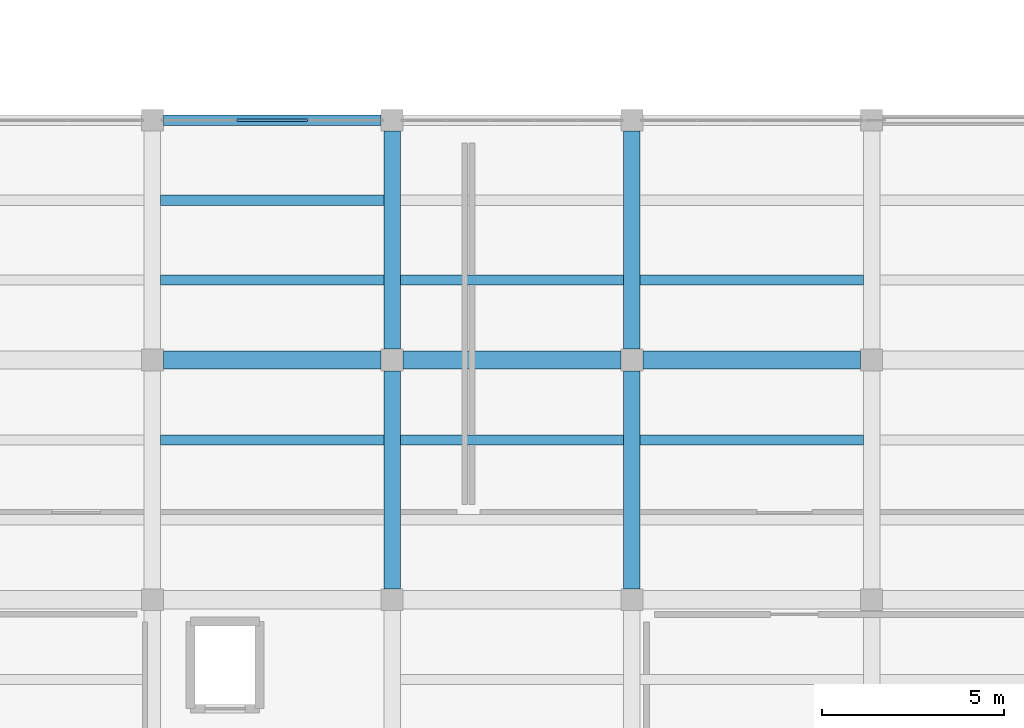
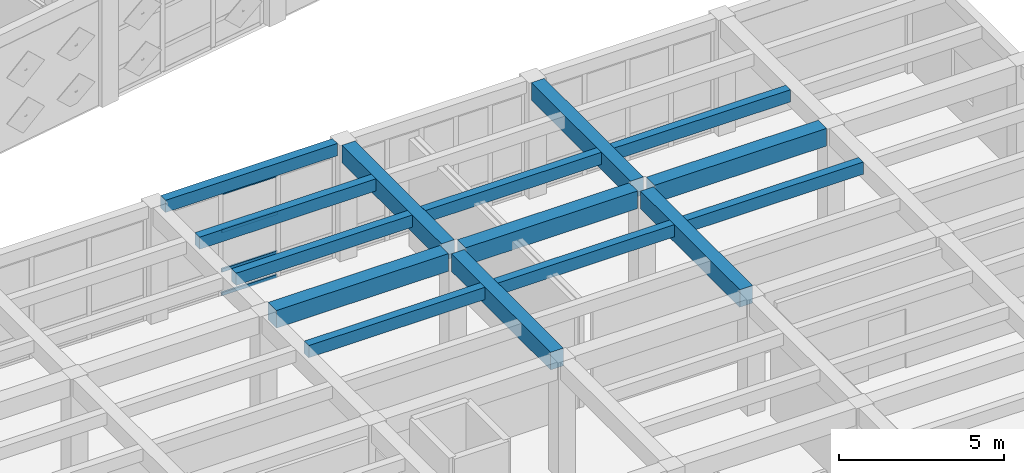
# One storey, part 7 of 67: 15 beams, 4 members, 1 element without a shape of its own.
"""IFC4 building model written with IfcOpenShell, lengths in metres."""

from ifc_helpers import new_model, si_unit, direction, frame, origin, origin_2d, place, context, subcontext, project, spatial, rectangle, hollow_rectangle, extrude, material, layer, layer_set, material_profile, profile_set, type_object, element, aggregate, save


model = new_model("IFC4")

# Units and contexts
model_context = context("Model", 3, precision=1e-05, world=origin(), true_north=direction((0.0, 1.0)))
body_context = subcontext(model_context, "Body", "Model", "MODEL_VIEW")
ifc_project = project(units=[si_unit("LENGTHUNIT", "METRE"), si_unit("AREAUNIT", "SQUARE_METRE"), si_unit("VOLUMEUNIT", "CUBIC_METRE"), si_unit("PLANEANGLEUNIT", "RADIAN"), si_unit("MASSUNIT", "GRAM", prefix="KILO")], contexts=[model_context])

# Site, building, storey
site_placement = place(None, origin())
site = spatial("IfcSite", under=ifc_project, at=site_placement, CompositionType="ELEMENT")
building_placement = place(site_placement, origin())
building = spatial("IfcBuilding", under=site, at=building_placement, Name="Kharisveld Research Institute", CompositionType="ELEMENT")
storey_placement = place(building_placement, frame((0.0, 0.0, 9.60009765625)))
storey = spatial("IfcBuildingStorey", under=building, at=storey_placement, Name="L02", CompositionType="ELEMENT", Elevation=9.60009765625)

# Beams
ifc_material_1 = material(Name="Concrete C40/50", Category="concrete")
ifc_material_profile_1 = material_profile(ifc_material_1, rectangle(XDim=0.449951171875, YDim=0.64990234375, at=origin_2d()))
ifc_profile_set_1 = profile_set([ifc_material_profile_1], Name="Concrete C40/50")
beam_type_1 = type_object("IfcBeamType", Name="BM_RC_450x650", PredefinedType="BEAM", material=ifc_profile_set_1)
for number, where, z_axis, x_axis, name in (
    (1, (20.39990234375, 13.699951171875, 3.954833984375), (0.0, 1.0, 0.0), (-1.0, 0.0, 0.0), "BM:V3:L02:V3_2"),
    (2, (20.39990234375, 20.300048828125, 3.954833984375), (0.0, 1.0, 0.0), (-1.0, 0.0, 0.0), "BM:V3:L02:V3_3"),
    (3, (27.0, 13.699951171875, 3.954833984375), (0.0, 1.0, 0.0), (-1.0, 0.0, 0.0), "BM:V3:L02:V4_2"),
    (4, (27.0, 20.300048828125, 3.954833984375), (0.0, 1.0, 0.0), (-1.0, 0.0, 0.0), "BM:V3:L02:V4_3"),
):
    element("IfcBeam", number, at=place(storey_placement, frame(where, z_axis=z_axis, x_axis=x_axis)), inside=storey, type_object=beam_type_1, Name=name, PredefinedType="BEAM", context=body_context, shape_type="SweptSolid", body=[
        extrude(rectangle(XDim=0.449951171875, YDim=0.64990234375, at=origin_2d()), origin(), (0.0, 0.0, 1.0), 6.0),
    ])
ifc_material_2 = material(Name="Concrete C40/50", Category="concrete")
ifc_material_profile_2 = material_profile(ifc_material_2, rectangle(XDim=0.5, YDim=0.64990234375, at=origin_2d()))
ifc_profile_set_2 = profile_set([ifc_material_profile_2], Name="Concrete C40/50")
beam_type_2 = type_object("IfcBeamType", Name="BM_RC_500x650", PredefinedType="BEAM", material=ifc_profile_set_2)
for number, where, z_axis, x_axis, name in (
    (5, (14.10009765625, 20.0, 3.954833984375), (1.0, 0.0, 0.0), (0.0, 1.0, 0.0), "BM:V3:L02:U2_3"),
    (6, (20.699951171875, 20.0, 3.954833984375), (1.0, 0.0, 0.0), (0.0, 1.0, 0.0), "BM:V3:L02:U3_3"),
    (7, (27.300048828125, 20.0, 3.954833984375), (1.0, 0.0, 0.0), (0.0, 1.0, 0.0), "BM:V3:L02:U4_3"),
):
    element("IfcBeam", number, at=place(storey_placement, frame(where, z_axis=z_axis, x_axis=x_axis)), inside=storey, type_object=beam_type_2, Name=name, PredefinedType="BEAM", context=body_context, shape_type="SweptSolid", body=[
        extrude(rectangle(XDim=0.5, YDim=0.64990234375, at=origin_2d()), origin(), (0.0, 0.0, 1.0), 6.0),
    ])

# Curtain wall, members
ifc_material_3 = material(Name="Thermally Broken Aluminium Curtain Wall", Category="aluminium")
ifc_layer = layer(ifc_material_3, 0.159912109375)
ifc_layer_set = layer_set([ifc_layer], Name="CW_SYS_06")
curtain_wall_type = type_object("IfcCurtainWallType", Name="CW_SYS_06", PredefinedType="NOTDEFINED", material=ifc_layer_set)
curtain_wall_placement = place(storey_placement, origin())
curtain_wall = element("IfcCurtainWall", 8, at=curtain_wall_placement, inside=storey, type_object=curtain_wall_type, Name="CW:V3:L02:N2", PredefinedType="NOTDEFINED")
ifc_material_4 = material(Name="Anodised Aluminium AW-6063-T6", Category="aluminium")
ifc_material_profile_3 = material_profile(ifc_material_4, hollow_rectangle(XDim=0.06005859375, YDim=0.1201171875, WallThickness=0.00390625, at=origin_2d()))
ifc_profile_set_3 = profile_set([ifc_material_profile_3], Name="Anodised Aluminium AW-6063-T6")
member_type = type_object("IfcMemberType", Name="CW_TRN_120", PredefinedType="USERDEFINED", material=ifc_profile_set_3)
member_1_placement = place(storey_placement, frame((16.130859375, 26.60009765625, 0.02978515625), z_axis=(1.0, 0.0, 0.0), x_axis=(0.0, 1.0, 0.0)))
member_1 = element("IfcMember", 9, at=member_1_placement, type_object=member_type, Name="CW-06 transom 2.1", ObjectType="TRANSOM", PredefinedType="USERDEFINED", context=body_context, shape_type="SweptSolid", body=[
    extrude(hollow_rectangle(XDim=0.06005859375, YDim=0.1201171875, WallThickness=0.00390625, at=origin_2d()), origin(), (0.0, 0.0, 1.0), 1.938232421875),
])
member_2_placement = place(storey_placement, frame((16.130859375, 26.60009765625, 0.89990234375), z_axis=(1.0, 0.0, 0.0), x_axis=(0.0, 1.0, 0.0)))
member_2 = element("IfcMember", 10, at=member_2_placement, type_object=member_type, Name="CW-06 transom 2.2", ObjectType="TRANSOM", PredefinedType="USERDEFINED", context=body_context, shape_type="SweptSolid", body=[
    extrude(hollow_rectangle(XDim=0.06005859375, YDim=0.1201171875, WallThickness=0.00390625, at=origin_2d()), origin(), (0.0, 0.0, 1.0), 1.938232421875),
])
member_3_placement = place(storey_placement, frame((16.130859375, 26.60009765625, 2.349853515625), z_axis=(1.0, 0.0, 0.0), x_axis=(0.0, 1.0, 0.0)))
member_3 = element("IfcMember", 11, at=member_3_placement, type_object=member_type, Name="CW-06 transom 2.3", ObjectType="TRANSOM", PredefinedType="USERDEFINED", context=body_context, shape_type="SweptSolid", body=[
    extrude(hollow_rectangle(XDim=0.06005859375, YDim=0.1201171875, WallThickness=0.00390625, at=origin_2d()), origin(), (0.0, 0.0, 1.0), 1.938232421875),
])
member_4_placement = place(storey_placement, frame((16.130859375, 26.60009765625, 3.75), z_axis=(1.0, 0.0, 0.0), x_axis=(0.0, 1.0, 0.0)))
member_4 = element("IfcMember", 12, at=member_4_placement, type_object=member_type, Name="CW-06 transom 2.4", ObjectType="TRANSOM", PredefinedType="USERDEFINED", context=body_context, shape_type="SweptSolid", body=[
    extrude(hollow_rectangle(XDim=0.06005859375, YDim=0.1201171875, WallThickness=0.00390625, at=origin_2d()), origin(), (0.0, 0.0, 1.0), 1.938232421875),
])
aggregate(curtain_wall, [member_1, member_2, member_3, member_4])

# Beams
ifc_material_5 = material(Name="Concrete C40/50", Category="concrete")
ifc_material_profile_4 = material_profile(ifc_material_5, rectangle(XDim=0.300048828125, YDim=0.449951171875, at=origin_2d()))
ifc_profile_set_4 = profile_set([ifc_material_profile_4], Name="Concrete C40/50")
beam_type_3 = type_object("IfcBeamType", Name="SP_RC_300x450", PredefinedType="SPANDREL", material=ifc_profile_set_4)
beam_placement = place(storey_placement, frame((14.10009765625, 26.60009765625, 4.054931640625), z_axis=(1.0, 0.0, 0.0), x_axis=(0.0, 1.0, 0.0)))
element("IfcBeam", 13, at=beam_placement, inside=storey, type_object=beam_type_3, Name="BM:V3:L02:U2_4", PredefinedType="SPANDREL", context=body_context, shape_type="SweptSolid", body=[
    extrude(rectangle(XDim=0.300048828125, YDim=0.449951171875, at=origin_2d()), origin(), (0.0, 0.0, 1.0), 6.0),
])
ifc_material_6 = material(Name="Concrete C40/50", Category="concrete")
ifc_material_profile_5 = material_profile(ifc_material_6, rectangle(XDim=0.280029296875, YDim=0.449951171875, at=origin_2d()))
ifc_profile_set_5 = profile_set([ifc_material_profile_5], Name="Concrete C40/50")
beam_type_4 = type_object("IfcBeamType", Name="WB_RC_280x450", PredefinedType="JOIST", material=ifc_profile_set_5)
for number, where, z_axis, x_axis, name in (
    (14, (14.02490234375, 17.800048828125, 4.054931640625), (1.0, 0.0, 0.0), (0.0, 1.0, 0.0), "BM:V3:L02:J_2_2_R2"),
    (15, (14.02490234375, 22.199951171875, 4.054931640625), (1.0, 0.0, 0.0), (0.0, 1.0, 0.0), "BM:V3:L02:J_2_3_R1"),
    (16, (14.02490234375, 24.39990234375, 4.054931640625), (1.0, 0.0, 0.0), (0.0, 1.0, 0.0), "BM:V3:L02:J_2_3_R2"),
):
    element("IfcBeam", number, at=place(storey_placement, frame(where, z_axis=z_axis, x_axis=x_axis)), inside=storey, type_object=beam_type_4, Name=name, PredefinedType="JOIST", context=body_context, shape_type="SweptSolid", body=[
        extrude(rectangle(XDim=0.280029296875, YDim=0.449951171875, at=origin_2d()), origin(), (0.0, 0.0, 1.0), 6.150146484375),
    ])
for number, where, z_axis, x_axis, name in (
    (17, (20.625, 17.800048828125, 4.054931640625), (1.0, 0.0, 0.0), (0.0, 1.0, 0.0), "BM:V3:L02:J_3_2_R2"),
    (18, (20.625, 22.199951171875, 4.054931640625), (1.0, 0.0, 0.0), (0.0, 1.0, 0.0), "BM:V3:L02:J_3_3_R1"),
    (19, (27.22509765625, 17.800048828125, 4.054931640625), (1.0, 0.0, 0.0), (0.0, 1.0, 0.0), "BM:V3:L02:J_4_2_R2"),
    (20, (27.22509765625, 22.199951171875, 4.054931640625), (1.0, 0.0, 0.0), (0.0, 1.0, 0.0), "BM:V3:L02:J_4_3_R1"),
):
    element("IfcBeam", number, at=place(storey_placement, frame(where, z_axis=z_axis, x_axis=x_axis)), inside=storey, type_object=beam_type_4, Name=name, PredefinedType="JOIST", context=body_context, shape_type="SweptSolid", body=[
        extrude(rectangle(XDim=0.280029296875, YDim=0.449951171875, at=origin_2d()), origin(), (0.0, 0.0, 1.0), 6.14990234375),
    ])

save(model, "model.ifc")
